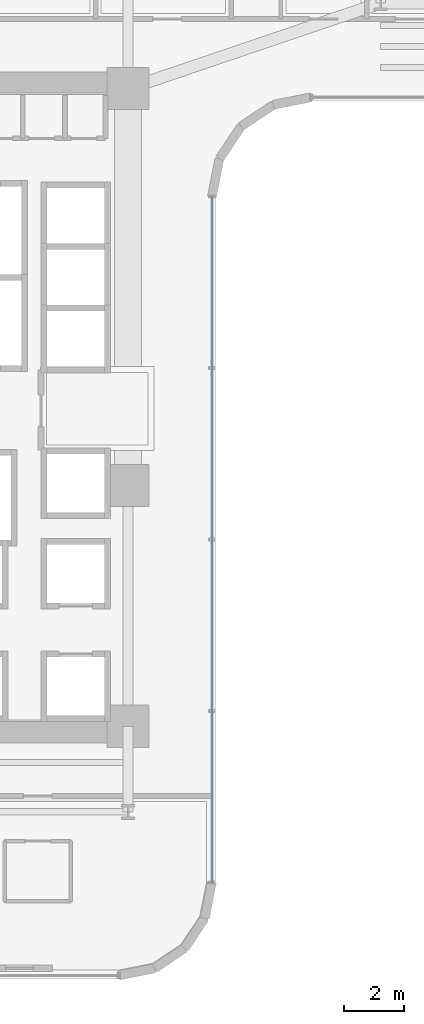
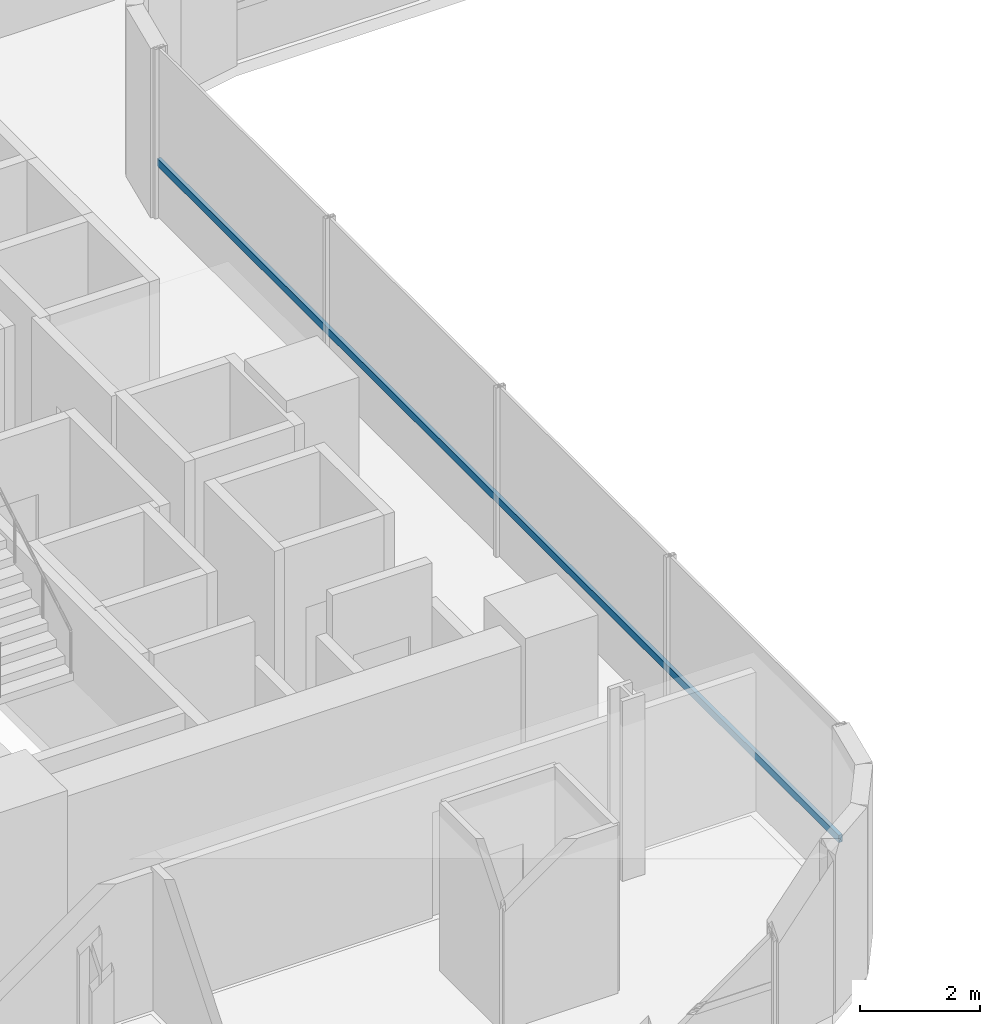
# One storey, part 7 of 40: 1 member, 1 element without a shape of its own.
"""IFC4 building model written with IfcOpenShell, lengths in metres."""

from ifc_helpers import new_model, si_unit, direction, frame, origin, origin_2d, place, context, subcontext, project, spatial, hollow_rectangle, extrude, source, transform, mapped, material, material_profile, profile_set, type_object, element, aggregate, save


model = new_model("IFC4")

# Units and contexts
model_context = context("Model", 3, precision=1e-05, world=origin(), true_north=direction((0.0, 1.0)))
body_context = subcontext(model_context, "Body", "Model", "MODEL_VIEW")
ifc_project = project(units=[si_unit("LENGTHUNIT", "METRE"), si_unit("AREAUNIT", "SQUARE_METRE"), si_unit("VOLUMEUNIT", "CUBIC_METRE"), si_unit("PLANEANGLEUNIT", "RADIAN"), si_unit("MASSUNIT", "GRAM", prefix="KILO")], contexts=[model_context])

# Site, building, storey
site_placement = place(None, origin())
site = spatial("IfcSite", under=ifc_project, at=site_placement, CompositionType="ELEMENT")
building_placement = place(site_placement, origin())
building = spatial("IfcBuilding", under=site, at=building_placement, Name="Valdorenza Pilgrim Sanctuary Tower", CompositionType="ELEMENT")
storey_placement = place(building_placement, frame((0.0, 0.0, 92.60009765625)))
storey = spatial("IfcBuildingStorey", under=building, at=storey_placement, Name="L23", CompositionType="ELEMENT", Elevation=92.60009765625)

# Curtain wall, member
ifc_material_1 = material(Name="Curtain-wall IGU glazing", Category="glass")
curtain_wall_type = type_object("IfcCurtainWallType", Name="CW-SYS-02", PredefinedType="NOTDEFINED", material=ifc_material_1)
curtain_wall_placement = place(storey_placement, origin())
curtain_wall = element("IfcCurtainWall", 1, at=curtain_wall_placement, inside=storey, type_object=curtain_wall_type, Name="L23 Curtain Wall CW-L23-1-41", PredefinedType="NOTDEFINED")
ifc_material_2 = material(Name="Anodised aluminium AW-6060", Category="aluminium")
ifc_material_profile = material_profile(ifc_material_2, hollow_rectangle(XDim=0.074951171875, YDim=0.14990234375, WallThickness=0.00390625, at=origin_2d()), Name="ALU-T 150x75x4")
ifc_profile_set = profile_set([ifc_material_profile], Name="Anodised aluminium AW-6060")
member_type = type_object("IfcMemberType", Name="CW-TRN-02", PredefinedType="USERDEFINED", material=ifc_profile_set)
shared_shape = source(origin(), body_context, "Body", "SweptSolid", [
    extrude(hollow_rectangle(XDim=0.074951171875, YDim=0.14990234375, WallThickness=0.00390625, at=origin_2d()), origin(), (0.0, 0.0, 1.0), 22.800048828125),
])
member_placement = place(storey_placement, frame((-9.610107421875, 7.0107421875, 1.119873046875), z_axis=(0.0, -1.0, 0.0), x_axis=(1.0, 0.0, 0.0)))
member = element("IfcMember", 2, at=member_placement, type_object=member_type, Name="CW-L23-1-41 Transom 1", ObjectType="TRANSOM", PredefinedType="USERDEFINED", context=body_context, shape_type="MappedRepresentation", body=[
    mapped(shared_shape, transform((0.0, 0.0, 0.0), x_axis=(1.0, 0.0, 0.0), y_axis=(0.0, 1.0, 0.0), z_axis=(0.0, 0.0, 1.0), scale=1.0)),
])
aggregate(curtain_wall, [member])

save(model, "model.ifc")
